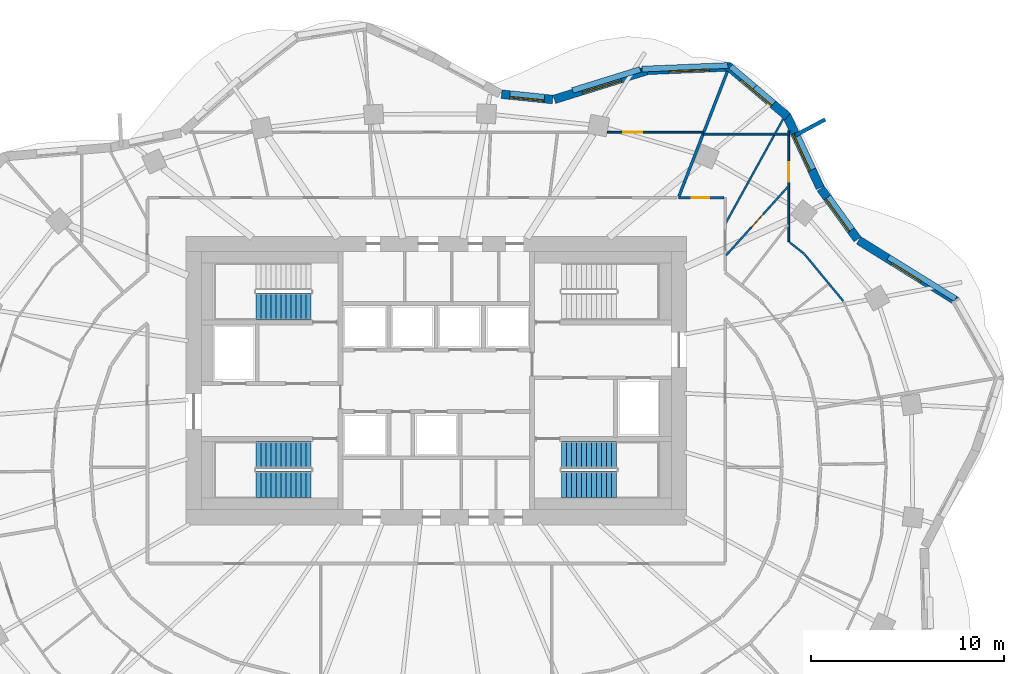
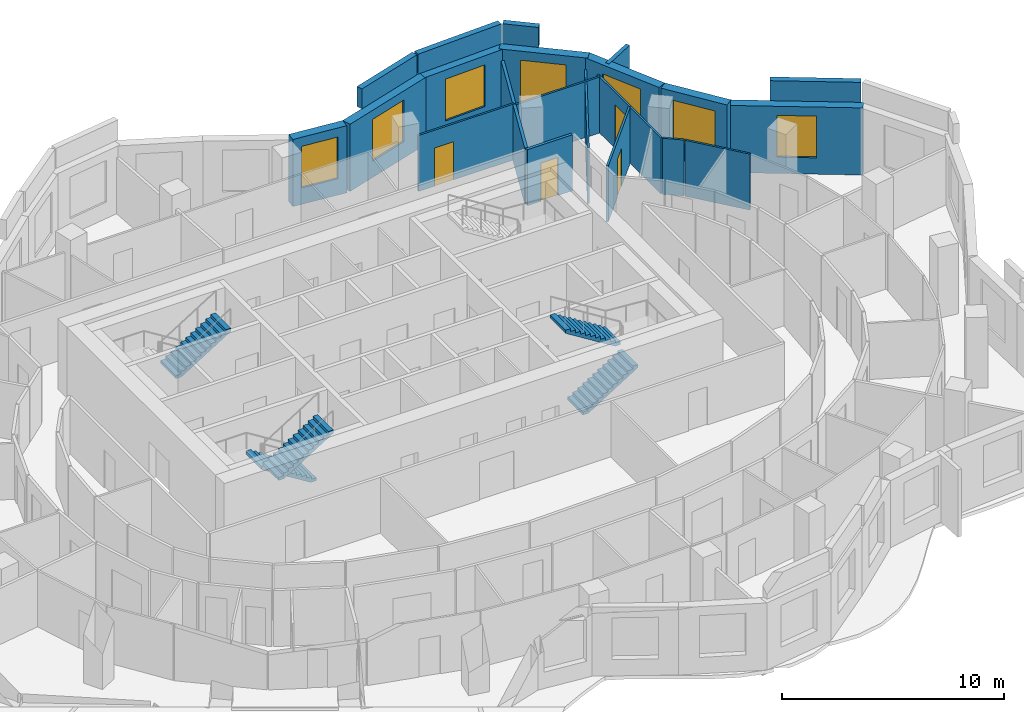
# One storey, part 10 of 12: 21 walls, 7 windows, 5 stair flights, 4 doors, 11 openings, 3 elements without a shape of their own.
"""IFC4 building model written with IfcOpenShell, lengths in metres."""

from ifc_helpers import new_model, si_unit, direction, frame, frame_2d, origin, place, context, subcontext, project, spatial, polyline, rectangle, outline, extrude, material, layer, layer_set, type_object, element, fill, aggregate, save


model = new_model("IFC4")

# Units and contexts
model_context = context("Model", 3, precision=1e-05, world=origin(), true_north=direction((0.0, 1.0)))
body_context = subcontext(model_context, "Body", "Model", "MODEL_VIEW")
ifc_project = project(units=[si_unit("LENGTHUNIT", "METRE"), si_unit("AREAUNIT", "SQUARE_METRE"), si_unit("VOLUMEUNIT", "CUBIC_METRE"), si_unit("PLANEANGLEUNIT", "RADIAN"), si_unit("MASSUNIT", "GRAM", prefix="KILO")], contexts=[model_context])

# Site, building, storey
site_placement = place(None, origin())
site = spatial("IfcSite", under=ifc_project, at=site_placement, CompositionType="ELEMENT")
building_placement = place(site_placement, origin())
building = spatial("IfcBuilding", under=site, at=building_placement, Name="Rubra Terraces Tower", CompositionType="ELEMENT")
storey_placement = place(building_placement, frame((0.0, 0.0, 201.300048828125)))
storey = spatial("IfcBuildingStorey", under=building, at=storey_placement, Name="L49", CompositionType="ELEMENT", Elevation=201.300048828125)

# Wall, opening, window
ifc_material_1 = material(Name="Brick masonry red-brown", Category="masonry")
ifc_layer_1 = layer(ifc_material_1, 0.449951171875)
ifc_layer_set_1 = layer_set([ifc_layer_1], Name="Brick masonry red-brown")
wall_type_1 = type_object("IfcWallType", Name="Brick facade wall 450", PredefinedType="SOLIDWALL", material=ifc_layer_set_1)
wall_1_placement = place(storey_placement, frame((27.01611328125, 8.6259765625, 0.0), z_axis=(0.0, 0.0, 1.0), x_axis=(-0.849198377377, 0.528073968172, 0.0)))
wall_1 = element("IfcWall", 1, at=wall_1_placement, inside=storey, type_object=wall_type_1, Name="Facade wall L49 bay 3", PredefinedType="SOLIDWALL", context=body_context, shape_type="SweptSolid", body=[
    extrude(rectangle(XDim=5.989501953125, YDim=0.449951171875, at=frame_2d((2.99462890625, 0.0))), origin(), (0.0, 0.0, 1.0), 3.699951171875),
])
opening_1_placement = place(wall_1_placement, frame((2.0947265625, 0.0, 0.89990234375)))
opening_1 = element("IfcOpeningElement", 2, at=opening_1_placement, cuts=wall_1, Name="Opening W6B", PredefinedType="OPENING", context=body_context, shape_type="SweptSolid", body=[
    extrude(rectangle(XDim=1.800048828125, YDim=2.300048828125, at=frame_2d((0.89990234375, 1.14990234375))), frame((0.0, 0.23486328125, 0.0), z_axis=(0.0, -1.0, 0.0), x_axis=(1.0, 0.0, 0.0)), (0.0, 0.0, 1.0), 0.469970703125),
])
ifc_material_2 = material(Name="Clear glass in aluminium frame", Category="aluminium")
window_type_1 = type_object("IfcWindowType", Name="Fixed deep-set window at wind fin tall storey 1800 x 2300", PartitioningType="SINGLE_PANEL", PredefinedType="WINDOW", material=ifc_material_2)
window_1_placement = place(opening_1_placement, origin())
window_1 = element("IfcWindow", 3, at=window_1_placement, inside=storey, type_object=window_type_1, Name="Window L49 bay 3", OverallHeight=2.300048828125, OverallWidth=1.800048828125, PartitioningType="SINGLE_PANEL", PredefinedType="WINDOW", context=body_context, shape_type="SweptSolid", body=[
    extrude(rectangle(XDim=1.800048828125, YDim=2.300048828125, at=frame_2d((0.89990234375, 1.14990234375))), frame((0.0, 0.135009765625, 0.0), z_axis=(0.0, -1.0, 0.0), x_axis=(1.0, 0.0, 0.0)), (0.0, 0.0, 1.0), 0.06005859375),
])
fill(opening_1, window_1)

wall_2_placement = place(storey_placement, frame((21.872314453125, 11.840576171875, 0.0), z_axis=(0.0, 0.0, 1.0), x_axis=(-0.587562050363, 0.809179113036, 0.0)))
wall_2 = element("IfcWall", 4, at=wall_2_placement, inside=storey, type_object=wall_type_1, Name="Facade wall L49 bay 4", PredefinedType="SOLIDWALL", context=body_context, shape_type="SweptSolid", body=[
    extrude(rectangle(XDim=3.262939453125, YDim=0.449951171875, at=frame_2d((1.63134765625, 0.0))), origin(), (0.0, 0.0, 1.0), 3.699951171875),
])
opening_2_placement = place(wall_2_placement, frame((0.58154296875, 0.0, 0.89990234375)))
opening_2 = element("IfcOpeningElement", 5, at=opening_2_placement, cuts=wall_2, Name="Opening W1B", PredefinedType="OPENING", context=body_context, shape_type="SweptSolid", body=[
    extrude(rectangle(XDim=2.10009765625, YDim=2.300048828125, at=frame_2d((1.050048828125, 1.14990234375))), frame((0.0, 0.23486328125, 0.0), z_axis=(0.0, -1.0, 0.0), x_axis=(1.0, 0.0, 0.0)), (0.0, 0.0, 1.0), 0.469970703125),
])
window_type_2 = type_object("IfcWindowType", Name="Fixed deep-set window tall storey 2100 x 2300", PartitioningType="SINGLE_PANEL", PredefinedType="WINDOW", material=ifc_material_2)
window_2_placement = place(opening_2_placement, origin())
window_2 = element("IfcWindow", 6, at=window_2_placement, inside=storey, type_object=window_type_2, Name="Window L49 bay 4", OverallHeight=2.300048828125, OverallWidth=2.10009765625, PartitioningType="SINGLE_PANEL", PredefinedType="WINDOW", context=body_context, shape_type="SweptSolid", body=[
    extrude(rectangle(XDim=2.10009765625, YDim=2.300048828125, at=frame_2d((1.050048828125, 1.14990234375))), frame((0.0, 0.135009765625, 0.0), z_axis=(0.0, -1.0, 0.0), x_axis=(1.0, 0.0, 0.0)), (0.0, 0.0, 1.0), 0.06005859375),
])
fill(opening_2, window_2)

wall_3_placement = place(storey_placement, frame((19.9306640625, 14.519287109375, 0.0), z_axis=(0.0, 0.0, 1.0), x_axis=(-0.421138964136, 0.906996126169, 0.0)))
wall_3 = element("IfcWall", 7, at=wall_3_placement, inside=storey, type_object=wall_type_1, Name="Facade wall L49 bay 5", PredefinedType="SOLIDWALL", context=body_context, shape_type="SweptSolid", body=[
    extrude(rectangle(XDim=4.149658203125, YDim=0.449951171875, at=frame_2d((2.07470703125, 0.0))), origin(), (0.0, 0.0, 1.0), 3.699951171875),
])
opening_3_placement = place(wall_3_placement, frame((1.02490234375, 0.0, 0.89990234375)))
opening_3 = element("IfcOpeningElement", 8, at=opening_3_placement, cuts=wall_3, Name="Opening W1B", PredefinedType="OPENING", context=body_context, shape_type="SweptSolid", body=[
    extrude(rectangle(XDim=2.10009765625, YDim=2.300048828125, at=frame_2d((1.050048828125, 1.14990234375))), frame((0.0, 0.23486328125, 0.0), z_axis=(0.0, -1.0, 0.0), x_axis=(1.0, 0.0, 0.0)), (0.0, 0.0, 1.0), 0.469970703125),
])
window_3_placement = place(opening_3_placement, origin())
window_3 = element("IfcWindow", 9, at=window_3_placement, inside=storey, type_object=window_type_2, Name="Window L49 bay 5", OverallHeight=2.300048828125, OverallWidth=2.10009765625, PartitioningType="SINGLE_PANEL", PredefinedType="WINDOW", context=body_context, shape_type="SweptSolid", body=[
    extrude(rectangle(XDim=2.10009765625, YDim=2.300048828125, at=frame_2d((1.050048828125, 1.14990234375))), frame((0.0, 0.135009765625, 0.0), z_axis=(0.0, -1.0, 0.0), x_axis=(1.0, 0.0, 0.0)), (0.0, 0.0, 1.0), 0.06005859375),
])
fill(opening_3, window_3)

wall_4_placement = place(storey_placement, frame((18.23828125, 18.21240234375, 0.0), z_axis=(0.0, 0.0, 1.0), x_axis=(-0.762479604733, 0.647012250554, 0.0)))
wall_4 = element("IfcWall", 10, at=wall_4_placement, inside=storey, type_object=wall_type_1, Name="Facade wall L49 bay 6", PredefinedType="SOLIDWALL", context=body_context, shape_type="SweptSolid", body=[
    extrude(rectangle(XDim=4.07861328125, YDim=0.449951171875, at=frame_2d((2.039306640625, 0.0))), origin(), (0.0, 0.0, 1.0), 3.699951171875),
])
opening_4_placement = place(wall_4_placement, frame((0.989501953125, 0.0, 0.89990234375)))
opening_4 = element("IfcOpeningElement", 11, at=opening_4_placement, cuts=wall_4, Name="Opening W1B", PredefinedType="OPENING", context=body_context, shape_type="SweptSolid", body=[
    extrude(rectangle(XDim=2.10009765625, YDim=2.300048828125, at=frame_2d((1.050048828125, 1.14990234375))), frame((0.0, 0.23486328125, 0.0), z_axis=(0.0, -1.0, 0.0), x_axis=(1.0, 0.0, 0.0)), (0.0, 0.0, 1.0), 0.469970703125),
])
window_4_placement = place(opening_4_placement, origin())
window_4 = element("IfcWindow", 12, at=window_4_placement, inside=storey, type_object=window_type_2, Name="Window L49 bay 6", OverallHeight=2.300048828125, OverallWidth=2.10009765625, PartitioningType="SINGLE_PANEL", PredefinedType="WINDOW", context=body_context, shape_type="SweptSolid", body=[
    extrude(rectangle(XDim=2.10009765625, YDim=2.300048828125, at=frame_2d((1.050048828125, 1.14990234375))), frame((0.0, 0.135009765625, 0.0), z_axis=(0.0, -1.0, 0.0), x_axis=(1.0, 0.0, 0.0)), (0.0, 0.0, 1.0), 0.06005859375),
])
fill(opening_4, window_4)

wall_5_placement = place(storey_placement, frame((15.283447265625, 20.798095703125, 0.0), z_axis=(0.0, 0.0, 1.0), x_axis=(-0.999108814386, -0.042208731526, 0.0)))
wall_5 = element("IfcWall", 13, at=wall_5_placement, inside=storey, type_object=wall_type_1, Name="Facade wall L49 bay 7", PredefinedType="SOLIDWALL", context=body_context, shape_type="SweptSolid", body=[
    extrude(rectangle(XDim=4.338134765625, YDim=0.449951171875, at=frame_2d((2.1689453125, 0.0))), origin(), (0.0, 0.0, 1.0), 3.699951171875),
])
opening_5_placement = place(wall_5_placement, frame((1.119140625, 0.0, 0.89990234375)))
opening_5 = element("IfcOpeningElement", 14, at=opening_5_placement, cuts=wall_5, Name="Opening W1B", PredefinedType="OPENING", context=body_context, shape_type="SweptSolid", body=[
    extrude(rectangle(XDim=2.10009765625, YDim=2.300048828125, at=frame_2d((1.050048828125, 1.14990234375))), frame((0.0, 0.23486328125, 0.0), z_axis=(0.0, -1.0, 0.0), x_axis=(1.0, 0.0, 0.0)), (0.0, 0.0, 1.0), 0.469970703125),
])
window_5_placement = place(opening_5_placement, origin())
window_5 = element("IfcWindow", 15, at=window_5_placement, inside=storey, type_object=window_type_2, Name="Window L49 bay 7", OverallHeight=2.300048828125, OverallWidth=2.10009765625, PartitioningType="SINGLE_PANEL", PredefinedType="WINDOW", context=body_context, shape_type="SweptSolid", body=[
    extrude(rectangle(XDim=2.10009765625, YDim=2.300048828125, at=frame_2d((1.050048828125, 1.14990234375))), frame((0.0, 0.135009765625, 0.0), z_axis=(0.0, -1.0, 0.0), x_axis=(1.0, 0.0, 0.0)), (0.0, 0.0, 1.0), 0.06005859375),
])
fill(opening_5, window_5)

wall_6_placement = place(storey_placement, frame((11.006591796875, 20.625, 0.0), z_axis=(0.0, 0.0, 1.0), x_axis=(-0.954949254112, -0.296769139352, 0.0)))
wall_6 = element("IfcWall", 16, at=wall_6_placement, inside=storey, type_object=wall_type_1, Name="Facade wall L49 bay 8", PredefinedType="SOLIDWALL", context=body_context, shape_type="SweptSolid", body=[
    extrude(rectangle(XDim=5.106201171875, YDim=0.449951171875, at=frame_2d((2.55322265625, 0.0))), origin(), (0.0, 0.0, 1.0), 3.699951171875),
])
opening_6_placement = place(wall_6_placement, frame((1.503173828125, 0.0, 0.89990234375)))
opening_6 = element("IfcOpeningElement", 17, at=opening_6_placement, cuts=wall_6, Name="Opening W1B", PredefinedType="OPENING", context=body_context, shape_type="SweptSolid", body=[
    extrude(rectangle(XDim=2.10009765625, YDim=2.300048828125, at=frame_2d((1.050048828125, 1.14990234375))), frame((0.0, 0.23486328125, 0.0), z_axis=(0.0, -1.0, 0.0), x_axis=(1.0, 0.0, 0.0)), (0.0, 0.0, 1.0), 0.469970703125),
])
window_6_placement = place(opening_6_placement, origin())
window_6 = element("IfcWindow", 18, at=window_6_placement, inside=storey, type_object=window_type_2, Name="Window L49 bay 8", OverallHeight=2.300048828125, OverallWidth=2.10009765625, PartitioningType="SINGLE_PANEL", PredefinedType="WINDOW", context=body_context, shape_type="SweptSolid", body=[
    extrude(rectangle(XDim=2.10009765625, YDim=2.300048828125, at=frame_2d((1.050048828125, 1.14990234375))), frame((0.0, 0.135009765625, 0.0), z_axis=(0.0, -1.0, 0.0), x_axis=(1.0, 0.0, 0.0)), (0.0, 0.0, 1.0), 0.06005859375),
])
fill(opening_6, window_6)

wall_7_placement = place(storey_placement, frame((6.040283203125, 19.1005859375, 0.0), z_axis=(0.0, 0.0, 1.0), x_axis=(-0.994675968472, 0.103052014752, 0.0)))
wall_7 = element("IfcWall", 19, at=wall_7_placement, inside=storey, type_object=wall_type_1, Name="Facade wall L49 bay 9", PredefinedType="SOLIDWALL", context=body_context, shape_type="SweptSolid", body=[
    extrude(rectangle(XDim=2.669921875, YDim=0.449951171875, at=frame_2d((1.3349609375, 0.0))), origin(), (0.0, 0.0, 1.0), 3.699951171875),
])
opening_7_placement = place(wall_7_placement, frame((0.43505859375, 0.0, 0.89990234375)))
opening_7 = element("IfcOpeningElement", 20, at=opening_7_placement, cuts=wall_7, Name="Opening W6B", PredefinedType="OPENING", context=body_context, shape_type="SweptSolid", body=[
    extrude(rectangle(XDim=1.800048828125, YDim=2.300048828125, at=frame_2d((0.89990234375, 1.14990234375))), frame((0.0, 0.23486328125, 0.0), z_axis=(0.0, -1.0, 0.0), x_axis=(1.0, 0.0, 0.0)), (0.0, 0.0, 1.0), 0.469970703125),
])
window_7_placement = place(opening_7_placement, origin())
window_7 = element("IfcWindow", 21, at=window_7_placement, inside=storey, type_object=window_type_1, Name="Window L49 bay 9", OverallHeight=2.300048828125, OverallWidth=1.800048828125, PartitioningType="SINGLE_PANEL", PredefinedType="WINDOW", context=body_context, shape_type="SweptSolid", body=[
    extrude(rectangle(XDim=1.800048828125, YDim=2.300048828125, at=frame_2d((0.89990234375, 1.14990234375))), frame((0.0, 0.135009765625, 0.0), z_axis=(0.0, -1.0, 0.0), x_axis=(1.0, 0.0, 0.0)), (0.0, 0.0, 1.0), 0.06005859375),
])
fill(opening_7, window_7)

# Walls
ifc_layer_2 = layer(ifc_material_1, 0.300048828125)
ifc_layer_set_2 = layer_set([ifc_layer_2], Name="Brick masonry red-brown")
wall_type_2 = type_object("IfcWallType", Name="Brick parapet 300", PredefinedType="PARAPET", material=ifc_layer_set_2)
wall_8_placement = place(storey_placement, frame((26.965087890625, 8.74609375, 3.89990234375), z_axis=(0.0, 0.0, 1.0), x_axis=(-0.849203312007, 0.528066032686, 0.0)))
element("IfcWall", 22, at=wall_8_placement, inside=storey, type_object=wall_type_2, Name="Parapet L49 bay 3", PredefinedType="PARAPET", context=body_context, shape_type="SweptSolid", body=[
    extrude(rectangle(XDim=4.11279296875, YDim=0.300048828125, at=frame_2d((2.056396484375, 0.0))), origin(), (0.0, 0.0, 1.0), 1.10009765625),
])
wall_9_placement = place(storey_placement, frame((16.54150390625, 19.75048828125, 3.89990234375), z_axis=(0.0, 0.0, 1.0), x_axis=(-0.762426907318, 0.647074347349, 0.0)))
element("IfcWall", 23, at=wall_9_placement, inside=storey, type_object=wall_type_2, Name="Parapet L49 bay 6", PredefinedType="PARAPET", context=body_context, shape_type="SweptSolid", body=[
    extrude(rectangle(XDim=1.642333984375, YDim=0.300048828125, at=frame_2d((0.8212890625, 0.0))), origin(), (0.0, 0.0, 1.0), 1.10009765625),
])
wall_10_placement = place(storey_placement, frame((15.133056640625, 20.866943359375, 3.89990234375), z_axis=(0.0, 0.0, 1.0), x_axis=(-0.999109914186, -0.042182690458, 0.0)))
element("IfcWall", 24, at=wall_10_placement, inside=storey, type_object=wall_type_2, Name="Parapet L49 bay 7", PredefinedType="PARAPET", context=body_context, shape_type="SweptSolid", body=[
    extrude(rectangle(XDim=4.45068359375, YDim=0.300048828125, at=frame_2d((2.225341796875, 0.0))), origin(), (0.0, 0.0, 1.0), 1.10009765625),
])
wall_11_placement = place(storey_placement, frame((10.589599609375, 20.662353515625, 3.89990234375), z_axis=(0.0, 0.0, 1.0), x_axis=(-0.954933257017, -0.296820610207, 0.0)))
element("IfcWall", 25, at=wall_11_placement, inside=storey, type_object=wall_type_2, Name="Parapet L49 bay 8", PredefinedType="PARAPET", context=body_context, shape_type="SweptSolid", body=[
    extrude(rectangle(XDim=3.6806640625, YDim=0.300048828125, at=frame_2d((1.84033203125, 0.0))), origin(), (0.0, 0.0, 1.0), 1.10009765625),
])
ifc_layer_3 = layer(ifc_material_1, 0.199951171875)
ifc_layer_set_3 = layer_set([ifc_layer_3], Name="Brick masonry red-brown")
wall_type_3 = type_object("IfcWallType", Name="Brick wind fin 200", PredefinedType="SOLIDWALL", material=ifc_layer_set_3)
wall_12_placement = place(storey_placement, frame((18.65087890625, 17.242919921875, 0.0), z_axis=(0.0, 0.0, 1.0), x_axis=(0.882225472329, 0.470827161466, 0.0)))
element("IfcWall", 26, at=wall_12_placement, inside=storey, type_object=wall_type_3, Name="Wind fin L49 3", PredefinedType="SOLIDWALL", context=body_context, shape_type="SweptSolid", body=[
    extrude(rectangle(XDim=1.75, YDim=0.199951171875, at=frame_2d((0.875, 0.0))), origin(), (0.0, 0.0, 1.0), 3.699951171875),
])

# Wall, opening, door
ifc_material_3 = material(Name="Plasterboard on steel stud, mineral wool infill", Category="steel")
ifc_layer_4 = layer(ifc_material_3, 0.14990234375)
ifc_layer_set_4 = layer_set([ifc_layer_4], Name="Plasterboard on steel stud, mineral wool infill")
wall_type_4 = type_object("IfcWallType", Name="CORRIDOR PARTITION 150", PredefinedType="PARTITIONING", material=ifc_layer_set_4)
wall_13_placement = place(storey_placement, frame((14.925048828125, 14.0, 0.0), z_axis=(0.0, 0.0, 1.0), x_axis=(-1.0, 0.0, 0.0)))
wall_13 = element("IfcWall", 27, at=wall_13_placement, inside=storey, type_object=wall_type_4, Name="PARTITION", PredefinedType="PARTITIONING", context=body_context, shape_type="SweptSolid", body=[
    extrude(rectangle(XDim=2.35546875, YDim=0.14990234375, at=frame_2d((1.177734375, 0.0))), origin(), (0.0, 0.0, 1.0), 3.083984375),
])
opening_8_placement = place(wall_13_placement, frame((0.75, 0.0, 0.0)))
opening_8 = element("IfcOpeningElement", 28, at=opening_8_placement, cuts=wall_13, Name="Opening 49-140", PredefinedType="OPENING", context=body_context, shape_type="SweptSolid", body=[
    extrude(rectangle(XDim=0.89990234375, YDim=2.10009765625, at=frame_2d((0.449951171875, 1.050048828125))), frame((0.0, 0.0849609375, 0.0), z_axis=(0.0, -1.0, 0.0), x_axis=(1.0, 0.0, 0.0)), (0.0, 0.0, 1.0), 0.169921875),
])
ifc_material_4 = material(Name="Painted timber door leaf", Category="wood")
door_type_1 = type_object("IfcDoorType", Name="BATHROOM DOOR 900 X 2100", OperationType="SINGLE_SWING_LEFT", PredefinedType="DOOR", material=ifc_material_4)
door_1_placement = place(opening_8_placement, origin())
door_1 = element("IfcDoor", 29, at=door_1_placement, inside=storey, type_object=door_type_1, Name="DOOR 49-140", OperationType="SINGLE_SWING_RIGHT", OverallHeight=2.10009765625, OverallWidth=0.89990234375, PredefinedType="DOOR", context=body_context, shape_type="SweptSolid", body=[
    extrude(rectangle(XDim=0.89990234375, YDim=2.10009765625, at=frame_2d((0.449951171875, 1.050048828125))), frame((0.0, 0.02490234375, 0.0), z_axis=(0.0, -1.0, 0.0), x_axis=(1.0, 0.0, 0.0)), (0.0, 0.0, 1.0), 0.050048828125),
])
fill(opening_8, door_1)

# Wall
ifc_material_5 = material(Name="Plasterboard on steel stud", Category="steel")
ifc_layer_5 = layer(ifc_material_5, 0.10009765625)
ifc_layer_set_5 = layer_set([ifc_layer_5], Name="Plasterboard on steel stud")
wall_type_5 = type_object("IfcWallType", Name="ROOM PARTITION 100", PredefinedType="PARTITIONING", material=ifc_layer_set_5)
wall_14_placement = place(storey_placement, frame((13.871337890625, 17.300048828125, 0.0), z_axis=(0.0, 0.0, 1.0), x_axis=(1.0, 0.0, 0.0)))
element("IfcWall", 30, at=wall_14_placement, inside=storey, type_object=wall_type_5, Name="PARTITION", PredefinedType="PARTITIONING", context=body_context, shape_type="SweptSolid", body=[
    extrude(rectangle(XDim=4.428466796875, YDim=0.10009765625, at=frame_2d((2.21435546875, 0.0))), origin(), (0.0, 0.0, 1.0), 3.083984375),
])

# Wall, opening, door
wall_15_placement = place(storey_placement, frame((18.2998046875, 17.48681640625, 0.0), z_axis=(0.0, 0.0, 1.0), x_axis=(4.2344173e-05, -0.999999999103, 0.0)))
wall_15 = element("IfcWall", 31, at=wall_15_placement, inside=storey, type_object=wall_type_5, Name="PARTITION", PredefinedType="PARTITIONING", context=body_context, shape_type="SweptSolid", body=[
    extrude(rectangle(XDim=5.765625, YDim=0.10009765625, at=frame_2d((2.8828125, 0.0))), origin(), (0.0, 0.0, 1.0), 3.083984375),
])
opening_9_placement = place(wall_15_placement, frame((1.64990234375, 0.0, 0.0)))
opening_9 = element("IfcOpeningElement", 32, at=opening_9_placement, cuts=wall_15, Name="Opening 49-137", PredefinedType="OPENING", context=body_context, shape_type="SweptSolid", body=[
    extrude(rectangle(XDim=1.0, YDim=2.39990234375, at=frame_2d((0.5, 1.199951171875))), frame((0.0, 0.06005859375, 0.0), z_axis=(0.0, -1.0, 0.0), x_axis=(1.0, 0.0, 0.0)), (0.0, 0.0, 1.0), 0.1201171875),
])
ifc_material_6 = material(Name="Glazed aluminium meeting door leaf", Category="aluminium")
door_type_2 = type_object("IfcDoorType", Name="MEETING ROOM GLAZED DOOR 1000 X 2400", OperationType="SINGLE_SWING_LEFT", PredefinedType="DOOR", material=ifc_material_6)
door_2_placement = place(opening_9_placement, origin())
door_2 = element("IfcDoor", 33, at=door_2_placement, inside=storey, type_object=door_type_2, Name="DOOR 49-137", OperationType="SINGLE_SWING_LEFT", OverallHeight=2.39990234375, OverallWidth=1.0, PredefinedType="DOOR", context=body_context, shape_type="SweptSolid", body=[
    extrude(rectangle(XDim=1.0, YDim=2.39990234375, at=frame_2d((0.5, 1.199951171875))), frame((0.0, 0.02490234375, 0.0), z_axis=(0.0, -1.0, 0.0), x_axis=(1.0, 0.0, 0.0)), (0.0, 0.0, 1.0), 0.050048828125),
])
fill(opening_9, door_2)

# Walls
wall_16_placement = place(storey_placement, frame((18.33935546875, 11.690185546875, 0.0), z_axis=(0.0, 0.0, 1.0), x_axis=(0.785133114635, -0.619327047934, 0.0)))
element("IfcWall", 34, at=wall_16_placement, inside=storey, type_object=wall_type_5, Name="PARTITION", PredefinedType="PARTITIONING", context=body_context, shape_type="SweptSolid", body=[
    extrude(rectangle(XDim=0.973388671875, YDim=0.10009765625, at=frame_2d((0.48681640625, 0.0))), origin(), (0.0, 0.0, 1.0), 3.083984375),
])
wall_17_placement = place(storey_placement, frame((19.13525390625, 11.048828125, 0.0), z_axis=(0.0, 0.0, 1.0), x_axis=(0.636562826748, -0.771224848927, 0.0)))
element("IfcWall", 35, at=wall_17_placement, inside=storey, type_object=wall_type_5, Name="PARTITION", PredefinedType="PARTITIONING", context=body_context, shape_type="SweptSolid", body=[
    extrude(rectangle(XDim=3.129150390625, YDim=0.10009765625, at=frame_2d((1.564453125, 0.0))), origin(), (0.0, 0.0, 1.0), 3.083984375),
])

# Wall, opening, door
wall_18_placement = place(storey_placement, frame((15.05029296875, 11.011474609375, 0.0), z_axis=(0.0, 0.0, 1.0), x_axis=(0.669413787396, 0.742889750397, 0.0)))
wall_18 = element("IfcWall", 36, at=wall_18_placement, inside=storey, type_object=wall_type_5, Name="PARTITION", PredefinedType="PARTITIONING", context=body_context, shape_type="SweptSolid", body=[
    extrude(rectangle(XDim=4.8046875, YDim=0.10009765625, at=frame_2d((2.40234375, 0.0))), origin(), (0.0, 0.0, 1.0), 3.083984375),
])
opening_10_placement = place(wall_18_placement, frame((1.949951171875, 0.0, 0.0)))
opening_10 = element("IfcOpeningElement", 37, at=opening_10_placement, cuts=wall_18, Name="Opening 49-139", PredefinedType="OPENING", context=body_context, shape_type="SweptSolid", body=[
    extrude(rectangle(XDim=0.89990234375, YDim=2.10009765625, at=frame_2d((0.449951171875, 1.050048828125))), frame((0.0, 0.06005859375, 0.0), z_axis=(0.0, -1.0, 0.0), x_axis=(1.0, 0.0, 0.0)), (0.0, 0.0, 1.0), 0.1201171875),
])
door_3_placement = place(opening_10_placement, origin())
door_3 = element("IfcDoor", 38, at=door_3_placement, inside=storey, type_object=door_type_1, Name="DOOR 49-139", OperationType="SINGLE_SWING_RIGHT", OverallHeight=2.10009765625, OverallWidth=0.89990234375, PredefinedType="DOOR", context=body_context, shape_type="SweptSolid", body=[
    extrude(rectangle(XDim=0.89990234375, YDim=2.10009765625, at=frame_2d((0.449951171875, 1.050048828125))), frame((0.0, 0.02490234375, 0.0), z_axis=(0.0, -1.0, 0.0), x_axis=(1.0, 0.0, 0.0)), (0.0, 0.0, 1.0), 0.050048828125),
])
fill(opening_10, door_3)

# Wall
wall_19_placement = place(storey_placement, frame((15.0361328125, 12.696533203125, 0.0), z_axis=(0.0, 0.0, 1.0), x_axis=(0.482822947205, 0.87571799208, 0.0)))
element("IfcWall", 39, at=wall_19_placement, inside=storey, type_object=wall_type_5, Name="PARTITION", PredefinedType="PARTITIONING", context=body_context, shape_type="SweptSolid", body=[
    extrude(rectangle(XDim=6.16552734375, YDim=0.10009765625, at=frame_2d((3.082763671875, 0.0))), origin(), (0.0, 0.0, 1.0), 3.083984375),
])

# Wall, opening, door
wall_20_placement = place(storey_placement, frame((8.8837890625, 17.39990234375, 0.0), z_axis=(0.0, 0.0, 1.0), x_axis=(1.0, 0.0, 0.0)))
wall_20 = element("IfcWall", 40, at=wall_20_placement, inside=storey, type_object=wall_type_5, Name="PARTITION", PredefinedType="PARTITIONING", context=body_context, shape_type="SweptSolid", body=[
    extrude(rectangle(XDim=4.9833984375, YDim=0.10009765625, at=frame_2d((2.49169921875, 0.0))), origin(), (0.0, 0.0, 1.0), 3.083984375),
])
opening_11_placement = place(wall_20_placement, frame((0.821044921875, 0.0, 0.0)))
opening_11 = element("IfcOpeningElement", 41, at=opening_11_placement, cuts=wall_20, Name="Opening 49-105", PredefinedType="OPENING", context=body_context, shape_type="SweptSolid", body=[
    extrude(rectangle(XDim=1.0, YDim=2.10009765625, at=frame_2d((0.5, 1.050048828125))), frame((0.0, 0.06005859375, 0.0), z_axis=(0.0, -1.0, 0.0), x_axis=(1.0, 0.0, 0.0)), (0.0, 0.0, 1.0), 0.1201171875),
])
door_type_3 = type_object("IfcDoorType", Name="ROOM DOOR 1000 X 2100", OperationType="SINGLE_SWING_LEFT", PredefinedType="DOOR", material=ifc_material_4)
door_4_placement = place(opening_11_placement, origin())
door_4 = element("IfcDoor", 42, at=door_4_placement, inside=storey, type_object=door_type_3, Name="DOOR 49-105", OperationType="SINGLE_SWING_LEFT", OverallHeight=2.10009765625, OverallWidth=1.0, PredefinedType="DOOR", context=body_context, shape_type="SweptSolid", body=[
    extrude(rectangle(XDim=1.0, YDim=2.10009765625, at=frame_2d((0.5, 1.050048828125))), frame((0.0, 0.02490234375, 0.0), z_axis=(0.0, -1.0, 0.0), x_axis=(1.0, 0.0, 0.0)), (0.0, 0.0, 1.0), 0.050048828125),
])
fill(opening_11, door_4)

# Wall
ifc_layer_6 = layer(ifc_material_5, 0.14990234375)
ifc_layer_set_6 = layer_set([ifc_layer_6], Name="Plasterboard on steel stud")
wall_type_6 = type_object("IfcWallType", Name="ROOM PARTITION 150", PredefinedType="PARTITIONING", material=ifc_layer_set_6)
wall_21_placement = place(storey_placement, frame((15.115478515625, 20.56201171875, 0.0), z_axis=(0.0, 0.0, 1.0), x_axis=(-0.361705111114, -0.932292557406, 0.0)))
element("IfcWall", 43, at=wall_21_placement, inside=storey, type_object=wall_type_6, Name="PARTITION", PredefinedType="PARTITIONING", context=body_context, shape_type="SweptSolid", body=[
    extrude(rectangle(XDim=6.963623046875, YDim=0.14990234375, at=frame_2d((3.48193359375, 0.0))), origin(), (0.0, 0.0, 1.0), 3.083984375),
])

# Stair, stair flights
ifc_material_7 = material(Name="Concrete C40", Category="concrete")
stair_type = type_object("IfcStairType", Name="Core stair 1400", PredefinedType="HALF_TURN_STAIR", material=ifc_material_7)
stair_1_placement = place(storey_placement, origin())
stair_1 = element("IfcStair", 44, at=stair_1_placement, inside=storey, type_object=stair_type, Name="L49 Exit stair S1", PredefinedType="HALF_TURN_STAIR")
stair_flight_type = type_object("IfcStairFlightType", Name="Core stair flight 1400", PredefinedType="STRAIGHT", material=ifc_material_7)
stair_flight_1_placement = place(storey_placement, frame((-6.5, 0.64990234375, 0.0), z_axis=(0.0, 0.0, 1.0), x_axis=(-1.0, 0.0, 0.0)))
stair_flight_1 = element("IfcStairFlight", 45, at=stair_flight_1_placement, type_object=stair_flight_type, Name="S1 flight 1", NumberOfRisers=12, NumberOfTreads=11, PredefinedType="STRAIGHT", RiserHeight=0.1625, TreadLength=0.26, context=body_context, shape_type="SweptSolid", body=[
    extrude(outline(polyline([(0.0, 0.0), (0.0, 0.16259765625), (0.260009765625, 0.16259765625), (0.260009765625, 0.324951171875), (0.52001953125, 0.324951171875), (0.52001953125, 0.487548828125), (0.780029296875, 0.487548828125), (0.780029296875, 0.64990234375), (1.0400390625, 0.64990234375), (1.0400390625, 0.8125), (1.300048828125, 0.8125), (1.300048828125, 0.97509765625), (1.56005859375, 0.97509765625), (1.56005859375, 1.137451171875), (1.820068359375, 1.137451171875), (1.820068359375, 1.300048828125), (2.080078125, 1.300048828125), (2.080078125, 1.46240234375), (2.340087890625, 1.46240234375), (2.340087890625, 1.625), (2.60009765625, 1.625), (2.60009765625, 1.78759765625), (2.860107421875, 1.78759765625), (2.860107421875, 1.949951171875), (2.860107421875, 1.61083984375), (0.28271484375, 0.0), (0.0, 0.0)])), frame((0.0, 0.699951171875, 0.0), z_axis=(0.0, -1.0, 0.0), x_axis=(1.0, 0.0, 0.0)), (0.0, 0.0, 1.0), 1.39990234375),
])
stair_flight_2_placement = place(storey_placement, frame((-9.360107421875, -0.89990234375, 1.949951171875), z_axis=(0.0, 0.0, 1.0), x_axis=(1.0, 0.0, 0.0)))
stair_flight_2 = element("IfcStairFlight", 46, at=stair_flight_2_placement, type_object=stair_flight_type, Name="S1 flight 2", NumberOfRisers=12, NumberOfTreads=11, PredefinedType="STRAIGHT", RiserHeight=0.1625, TreadLength=0.26, context=body_context, shape_type="SweptSolid", body=[
    extrude(outline(polyline([(0.0, 0.0), (0.0, 0.16259765625), (0.260009765625, 0.16259765625), (0.260009765625, 0.324951171875), (0.52001953125, 0.324951171875), (0.52001953125, 0.487548828125), (0.780029296875, 0.487548828125), (0.780029296875, 0.64990234375), (1.0400390625, 0.64990234375), (1.0400390625, 0.8125), (1.300048828125, 0.8125), (1.300048828125, 0.97509765625), (1.56005859375, 0.97509765625), (1.56005859375, 1.137451171875), (1.820068359375, 1.137451171875), (1.820068359375, 1.300048828125), (2.080078125, 1.300048828125), (2.080078125, 1.46240234375), (2.340087890625, 1.46240234375), (2.340087890625, 1.625), (2.60009765625, 1.625), (2.60009765625, 1.78759765625), (2.860107421875, 1.78759765625), (2.860107421875, 1.949951171875), (2.860107421875, 1.61083984375), (0.28271484375, 0.0), (0.0, 0.0)])), frame((0.0, 0.699951171875, 0.0), z_axis=(0.0, -1.0, 0.0), x_axis=(1.0, 0.0, 0.0)), (0.0, 0.0, 1.0), 1.39990234375),
])
aggregate(stair_1, [stair_flight_1, stair_flight_2])

# Stair, stair flight
stair_2_placement = place(storey_placement, origin())
stair_2 = element("IfcStair", 47, at=stair_2_placement, inside=storey, type_object=stair_type, Name="L49 Exit stair S2", PredefinedType="HALF_TURN_STAIR")
stair_flight_3_placement = place(storey_placement, frame((-9.360107421875, 8.35009765625, 1.949951171875), z_axis=(0.0, 0.0, 1.0), x_axis=(1.0, 0.0, 0.0)))
stair_flight_3 = element("IfcStairFlight", 48, at=stair_flight_3_placement, type_object=stair_flight_type, Name="S2 flight 2", NumberOfRisers=12, NumberOfTreads=11, PredefinedType="STRAIGHT", RiserHeight=0.1625, TreadLength=0.26, context=body_context, shape_type="SweptSolid", body=[
    extrude(outline(polyline([(0.0, 0.0), (0.0, 0.16259765625), (0.260009765625, 0.16259765625), (0.260009765625, 0.324951171875), (0.52001953125, 0.324951171875), (0.52001953125, 0.487548828125), (0.780029296875, 0.487548828125), (0.780029296875, 0.64990234375), (1.0400390625, 0.64990234375), (1.0400390625, 0.8125), (1.300048828125, 0.8125), (1.300048828125, 0.97509765625), (1.56005859375, 0.97509765625), (1.56005859375, 1.137451171875), (1.820068359375, 1.137451171875), (1.820068359375, 1.300048828125), (2.080078125, 1.300048828125), (2.080078125, 1.46240234375), (2.340087890625, 1.46240234375), (2.340087890625, 1.625), (2.60009765625, 1.625), (2.60009765625, 1.78759765625), (2.860107421875, 1.78759765625), (2.860107421875, 1.949951171875), (2.860107421875, 1.61083984375), (0.28271484375, 0.0), (0.0, 0.0)])), frame((0.0, 0.699951171875, 0.0), z_axis=(0.0, -1.0, 0.0), x_axis=(1.0, 0.0, 0.0)), (0.0, 0.0, 1.0), 1.39990234375),
])
aggregate(stair_2, [stair_flight_3])

# Stair, stair flights
stair_3_placement = place(storey_placement, origin())
stair_3 = element("IfcStair", 49, at=stair_3_placement, inside=storey, type_object=stair_type, Name="L49 Exit stair S4", PredefinedType="HALF_TURN_STAIR")
stair_flight_4_placement = place(storey_placement, frame((6.5, -0.89990234375, 0.0), z_axis=(0.0, 0.0, 1.0), x_axis=(1.0, 0.0, 0.0)))
stair_flight_4 = element("IfcStairFlight", 50, at=stair_flight_4_placement, type_object=stair_flight_type, Name="S4 flight 1", NumberOfRisers=12, NumberOfTreads=11, PredefinedType="STRAIGHT", RiserHeight=0.1625, TreadLength=0.26, context=body_context, shape_type="SweptSolid", body=[
    extrude(outline(polyline([(0.0, 0.0), (0.0, 0.16259765625), (0.260009765625, 0.16259765625), (0.260009765625, 0.324951171875), (0.52001953125, 0.324951171875), (0.52001953125, 0.487548828125), (0.780029296875, 0.487548828125), (0.780029296875, 0.64990234375), (1.0400390625, 0.64990234375), (1.0400390625, 0.8125), (1.300048828125, 0.8125), (1.300048828125, 0.97509765625), (1.56005859375, 0.97509765625), (1.56005859375, 1.137451171875), (1.820068359375, 1.137451171875), (1.820068359375, 1.300048828125), (2.080078125, 1.300048828125), (2.080078125, 1.46240234375), (2.340087890625, 1.46240234375), (2.340087890625, 1.625), (2.60009765625, 1.625), (2.60009765625, 1.78759765625), (2.860107421875, 1.78759765625), (2.860107421875, 1.949951171875), (2.860107421875, 1.61083984375), (0.28271484375, 0.0), (0.0, 0.0)])), frame((0.0, 0.699951171875, 0.0), z_axis=(0.0, -1.0, 0.0), x_axis=(1.0, 0.0, 0.0)), (0.0, 0.0, 1.0), 1.39990234375),
])
stair_flight_5_placement = place(storey_placement, frame((9.360107421875, 0.64990234375, 1.949951171875), z_axis=(0.0, 0.0, 1.0), x_axis=(-1.0, 0.0, 0.0)))
stair_flight_5 = element("IfcStairFlight", 51, at=stair_flight_5_placement, type_object=stair_flight_type, Name="S4 flight 2", NumberOfRisers=12, NumberOfTreads=11, PredefinedType="STRAIGHT", RiserHeight=0.1625, TreadLength=0.26, context=body_context, shape_type="SweptSolid", body=[
    extrude(outline(polyline([(0.0, 0.0), (0.0, 0.16259765625), (0.260009765625, 0.16259765625), (0.260009765625, 0.324951171875), (0.52001953125, 0.324951171875), (0.52001953125, 0.487548828125), (0.780029296875, 0.487548828125), (0.780029296875, 0.64990234375), (1.0400390625, 0.64990234375), (1.0400390625, 0.8125), (1.300048828125, 0.8125), (1.300048828125, 0.97509765625), (1.56005859375, 0.97509765625), (1.56005859375, 1.137451171875), (1.820068359375, 1.137451171875), (1.820068359375, 1.300048828125), (2.080078125, 1.300048828125), (2.080078125, 1.46240234375), (2.340087890625, 1.46240234375), (2.340087890625, 1.625), (2.60009765625, 1.625), (2.60009765625, 1.78759765625), (2.860107421875, 1.78759765625), (2.860107421875, 1.949951171875), (2.860107421875, 1.61083984375), (0.28271484375, 0.0), (0.0, 0.0)])), frame((0.0, 0.699951171875, 0.0), z_axis=(0.0, -1.0, 0.0), x_axis=(1.0, 0.0, 0.0)), (0.0, 0.0, 1.0), 1.39990234375),
])
aggregate(stair_3, [stair_flight_4, stair_flight_5])

save(model, "model.ifc")
